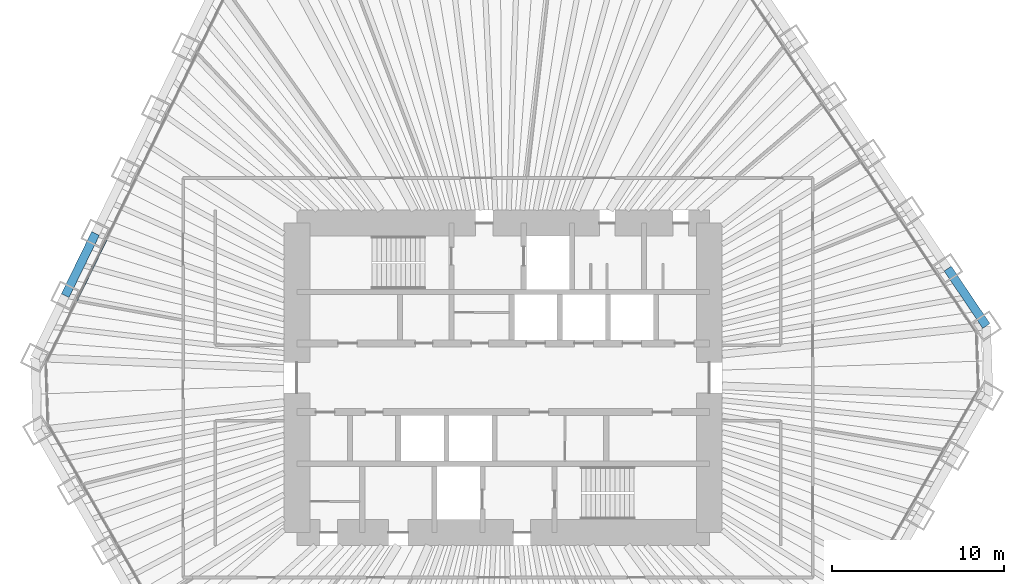
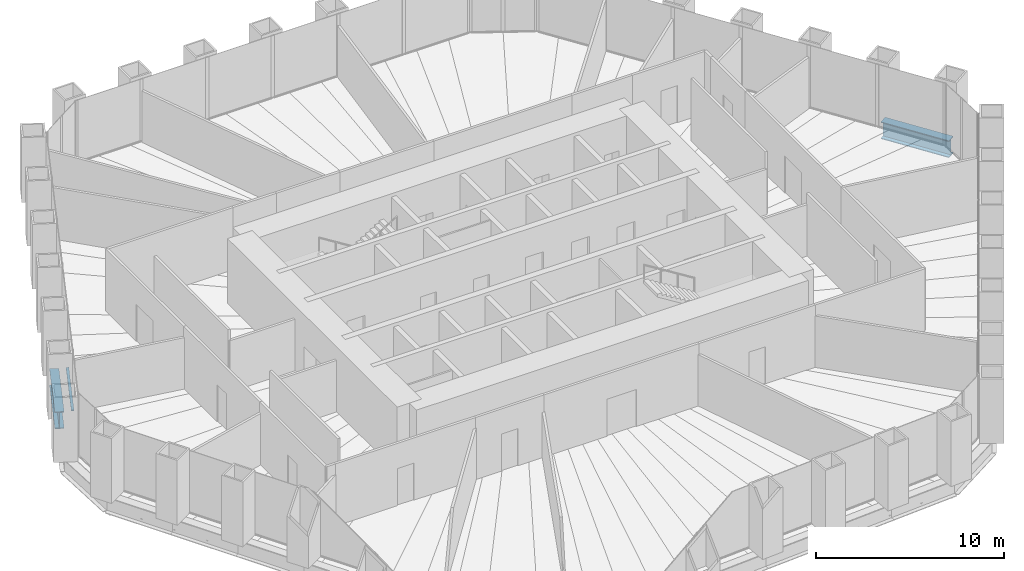
# One storey, part 5 of 13: 2 beams, 1 member, 1 element without a shape of its own.
"""IFC4 building model written with IfcOpenShell, lengths in metres."""

from ifc_helpers import new_model, si_unit, direction, frame, origin, origin_2d, place, context, subcontext, project, spatial, rectangle, i_section, extrude, material, material_profile, profile_set, type_object, element, aggregate, save


model = new_model("IFC4")

# Units and contexts
model_context = context("Model", 3, precision=1e-05, world=origin(), true_north=direction((0.0, 1.0)))
body_context = subcontext(model_context, "Body", "Model", "MODEL_VIEW")
ifc_project = project(units=[si_unit("LENGTHUNIT", "METRE"), si_unit("AREAUNIT", "SQUARE_METRE"), si_unit("VOLUMEUNIT", "CUBIC_METRE"), si_unit("PLANEANGLEUNIT", "RADIAN"), si_unit("MASSUNIT", "GRAM", prefix="KILO")], contexts=[model_context])

# Site, building, storey
site_placement = place(None, origin())
site = spatial("IfcSite", under=ifc_project, at=site_placement, CompositionType="ELEMENT")
building_placement = place(site_placement, origin())
building = spatial("IfcBuilding", under=site, at=building_placement, Name="Qingtian Harvest Tower", CompositionType="ELEMENT")
storey_placement = place(building_placement, frame((0.0, 0.0, 157.60009765625)))
storey = spatial("IfcBuildingStorey", under=building, at=storey_placement, Name="L33", CompositionType="ELEMENT", Elevation=157.60009765625)

# Beams
ifc_material_1 = material(Name="Steel SM570MC", Category="steel")
ifc_material_profile_1 = material_profile(ifc_material_1, i_section(OverallWidth=0.5, OverallDepth=1.10009765625, WebThickness=0.02490234375, FlangeThickness=0.050048828125, at=origin_2d()), Name="H1100x500x25x50")
ifc_profile_set_1 = profile_set([ifc_material_profile_1], Name="Steel SM570MC")
beam_type = type_object("IfcBeamType", Name="Spandrel beam SB2 H1100x500x25x50", PredefinedType="SPANDREL", material=ifc_profile_set_1)
for number, where, z_axis, x_axis, name in (
    (1, (25.8720703125, 6.3505859375, -0.550048828125), (0.55916400171, -0.829057066306, 0.0), (0.829057066306, 0.55916400171, 0.0), "Spandrel SB2 NE5"),
    (2, (-25.483154296875, 4.78125, -0.550048828125), (0.438396105405, 0.89878187274, 0.0), (-0.89878187274, 0.438396105405, 0.0), "Spandrel SB2 NW1"),
):
    element("IfcBeam", number, at=place(storey_placement, frame(where, z_axis=z_axis, x_axis=x_axis)), inside=storey, type_object=beam_type, Name=name, PredefinedType="SPANDREL", context=body_context, shape_type="SweptSolid", body=[
        extrude(i_section(OverallWidth=0.5, OverallDepth=1.10009765625, WebThickness=0.02490234375, FlangeThickness=0.050048828125, at=origin_2d()), origin(), (0.0, 0.0, 1.0), 4.01904296875),
    ])

# Curtain wall, member
ifc_material_2 = material(Name="Bronze-anodised aluminium curtain wall", Category="aluminium")
curtain_wall_type = type_object("IfcCurtainWallType", Name="Curtain wall CW4 office", PredefinedType="USERDEFINED", material=ifc_material_2)
curtain_wall_placement = place(storey_placement, origin())
curtain_wall = element("IfcCurtainWall", 3, at=curtain_wall_placement, inside=storey, type_object=curtain_wall_type, Name="Curtain wall CW4 L33 NW0-5", ObjectType="RECESSED CURTAIN WALL", PredefinedType="USERDEFINED")
ifc_material_3 = material(Name="Bronze-anodised aluminium transom", Category="aluminium")
ifc_material_profile_2 = material_profile(ifc_material_3, rectangle(XDim=0.14990234375, YDim=0.06494140625, at=origin_2d()), Name="AL 65x150")
ifc_profile_set_2 = profile_set([ifc_material_profile_2], Name="Bronze-anodised aluminium transom")
member_type = type_object("IfcMemberType", Name="Transom CWT 65x150", PredefinedType="USERDEFINED", material=ifc_profile_set_2)
member_placement = place(storey_placement, frame((-24.839599609375, 4.503662109375, 0.032470703125), z_axis=(0.438374972828, 0.898792180205, 0.0), x_axis=(-0.898792180205, 0.438374972828, 0.0)))
member = element("IfcMember", 4, at=member_placement, type_object=member_type, Name="CW4 transom 2.1", ObjectType="TRANSOM", PredefinedType="USERDEFINED", context=body_context, shape_type="SweptSolid", body=[
    extrude(rectangle(XDim=0.14990234375, YDim=0.06494140625, at=origin_2d()), origin(), (0.0, 0.0, 1.0), 3.9541015625),
])
aggregate(curtain_wall, [member])

save(model, "model.ifc")
